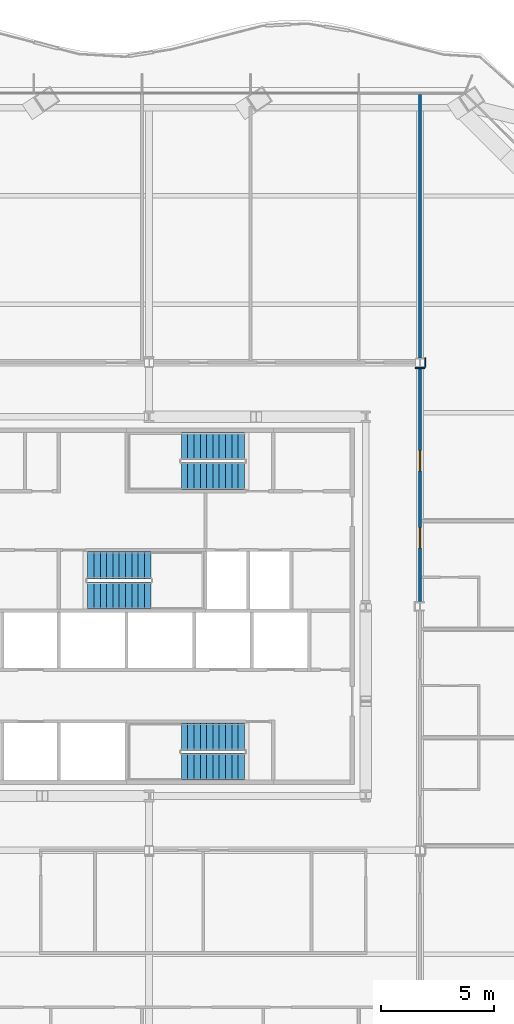
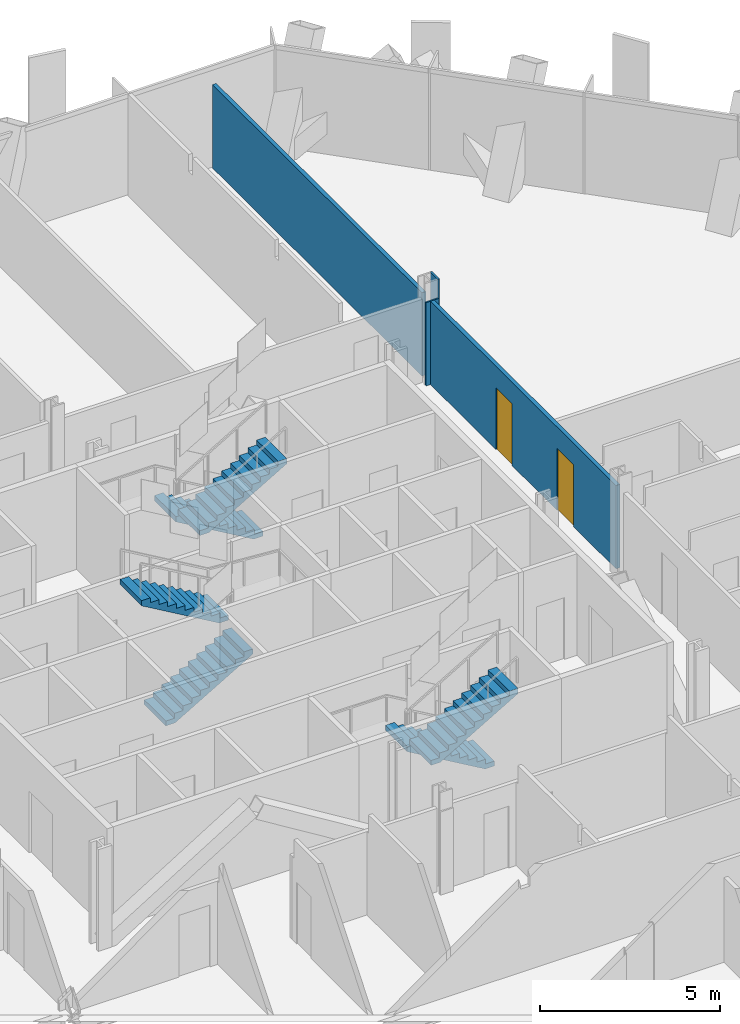
# One storey, part 12 of 19: 6 stair flights, 4 walls, 2 doors, 2 openings, 3 elements without a shape of their own.
"""IFC4 building model written with IfcOpenShell, lengths in metres."""

from ifc_helpers import new_model, si_unit, direction, frame, frame_2d, origin, place, context, subcontext, project, spatial, polyline, rectangle, outline, extrude, material, layer, layer_set, type_object, element, fill, aggregate, save


model = new_model("IFC4")

# Units and contexts
model_context = context("Model", 3, precision=1e-05, world=origin(), true_north=direction((0.0, 1.0)))
body_context = subcontext(model_context, "Body", "Model", "MODEL_VIEW")
ifc_project = project(units=[si_unit("LENGTHUNIT", "METRE"), si_unit("AREAUNIT", "SQUARE_METRE"), si_unit("VOLUMEUNIT", "CUBIC_METRE"), si_unit("PLANEANGLEUNIT", "RADIAN"), si_unit("MASSUNIT", "GRAM", prefix="KILO")], contexts=[model_context])

# Site, building, storey
site_placement = place(None, origin())
site = spatial("IfcSite", under=ifc_project, at=site_placement, CompositionType="ELEMENT")
building_placement = place(site_placement, origin())
building = spatial("IfcBuilding", under=site, at=building_placement, Name="Cairn Pilgrim Tower", CompositionType="ELEMENT")
storey_placement = place(building_placement, frame((0.0, 0.0, 97.800048828125)))
storey = spatial("IfcBuildingStorey", under=building, at=storey_placement, Name="L23", CompositionType="ELEMENT", Elevation=97.800048828125)

# Wall, openings, doors
ifc_material_1 = material(Name="Gypsum partition")
ifc_layer_1 = layer(ifc_material_1, 0.125)
ifc_layer_set_1 = layer_set([ifc_layer_1], Name="PARTITION 125 DRYWALL EI 60")
wall_type_1 = type_object("IfcWallType", Name="PARTITION 125 DRYWALL EI 60", PredefinedType="PARTITIONING", material=ifc_layer_set_1)
wall_1_placement = place(storey_placement, frame((19.199951171875, 2.612548828125, 0.0), z_axis=(0.0, 0.0, 1.0), x_axis=(0.0, 1.0, 0.0)))
wall_1 = element("IfcWall", 1, at=wall_1_placement, inside=storey, type_object=wall_type_1, Name="PARTITION W058", PredefinedType="PARTITIONING", context=body_context, shape_type="SweptSolid", body=[
    extrude(rectangle(XDim=10.375, YDim=0.125, at=frame_2d((5.1875, 0.0))), origin(), (0.0, 0.0, 1.0), 2.829833984375),
])
opening_1_placement = place(wall_1_placement, frame((2.37841796875, 0.0, 0.0)))
opening_1 = element("IfcOpeningElement", 2, at=opening_1_placement, cuts=wall_1, Name="Opening 2326", PredefinedType="OPENING", context=body_context, shape_type="SweptSolid", body=[
    extrude(rectangle(XDim=0.89990234375, YDim=2.10009765625, at=frame_2d((0.449951171875, 1.050048828125))), frame((0.0, 0.072509765625, 0.0), z_axis=(0.0, -1.0, 0.0), x_axis=(1.0, 0.0, 0.0)), (0.0, 0.0, 1.0), 0.14501953125),
])
opening_2_placement = place(wall_1_placement, frame((5.78759765625, 0.0, 0.0)))
opening_2 = element("IfcOpeningElement", 3, at=opening_2_placement, cuts=wall_1, Name="Opening 2327", PredefinedType="OPENING", context=body_context, shape_type="SweptSolid", body=[
    extrude(rectangle(XDim=0.89990234375, YDim=2.10009765625, at=frame_2d((0.449951171875, 1.050048828125))), frame((0.0, 0.072509765625, 0.0), z_axis=(0.0, -1.0, 0.0), x_axis=(1.0, 0.0, 0.0)), (0.0, 0.0, 1.0), 0.14501953125),
])
ifc_material_2 = material(Name="Steel-faced fire door leaf", Category="steel")
door_type = type_object("IfcDoorType", Name="FIRE DOOR 900x2100 FD30S", OperationType="NOTDEFINED", PredefinedType="DOOR", material=ifc_material_2)
door_1_placement = place(opening_1_placement, frame((0.89990234375, 0.0, 0.0), z_axis=(0.0, 0.0, 1.0), x_axis=(-1.0, 0.0, 0.0)))
door_1 = element("IfcDoor", 4, at=door_1_placement, inside=storey, type_object=door_type, Name="DOOR 2326", OperationType="SINGLE_SWING_RIGHT", OverallHeight=2.10009765625, OverallWidth=0.89990234375, PredefinedType="DOOR", context=body_context, shape_type="SweptSolid", body=[
    extrude(rectangle(XDim=0.89990234375, YDim=2.10009765625, at=frame_2d((0.449951171875, 1.050048828125))), frame((0.0, 0.02490234375, 0.0), z_axis=(0.0, -1.0, 0.0), x_axis=(1.0, 0.0, 0.0)), (0.0, 0.0, 1.0), 0.050048828125),
])
fill(opening_1, door_1)
door_2_placement = place(opening_2_placement, frame((0.89990234375, 0.0, 0.0), z_axis=(0.0, 0.0, 1.0), x_axis=(-1.0, 0.0, 0.0)))
door_2 = element("IfcDoor", 5, at=door_2_placement, inside=storey, type_object=door_type, Name="DOOR 2327", OperationType="SINGLE_SWING_RIGHT", OverallHeight=2.10009765625, OverallWidth=0.89990234375, PredefinedType="DOOR", context=body_context, shape_type="SweptSolid", body=[
    extrude(rectangle(XDim=0.89990234375, YDim=2.10009765625, at=frame_2d((0.449951171875, 1.050048828125))), frame((0.0, 0.02490234375, 0.0), z_axis=(0.0, -1.0, 0.0), x_axis=(1.0, 0.0, 0.0)), (0.0, 0.0, 1.0), 0.050048828125),
])
fill(opening_2, door_2)

# Walls
wall_2_placement = place(storey_placement, frame((19.199951171875, 13.41259765625, 0.0), z_axis=(0.0, 0.0, 1.0), x_axis=(0.0, 1.0, 0.0)))
element("IfcWall", 6, at=wall_2_placement, inside=storey, type_object=wall_type_1, Name="PARTITION W076", PredefinedType="PARTITIONING", context=body_context, shape_type="SweptSolid", body=[
    extrude(rectangle(XDim=11.668701171875, YDim=0.125, at=frame_2d((5.83447265625, 0.0))), origin(), (0.0, 0.0, 1.0), 2.829833984375),
])
ifc_layer_2 = layer(ifc_material_1, 0.050048828125)
ifc_layer_set_2 = layer_set([ifc_layer_2], Name="PARTITION 50 DRYWALL EI 60")
wall_type_2 = type_object("IfcWallType", Name="PARTITION 50 DRYWALL EI 60", PredefinedType="PARTITIONING", material=ifc_layer_set_2)
wall_3_placement = place(storey_placement, frame((19.429443359375, 12.987548828125, 0.0), z_axis=(0.0, 0.0, 1.0), x_axis=(0.0, 1.0, 0.0)))
element("IfcWall", 7, at=wall_3_placement, inside=storey, type_object=wall_type_2, Name="COLUMN CASING WC04", PredefinedType="PARTITIONING", context=body_context, shape_type="SweptSolid", body=[
    extrude(rectangle(XDim=0.425048828125, YDim=0.050048828125, at=frame_2d((0.21240234375, 0.0))), origin(), (0.0, 0.0, 1.0), 3.449951171875),
])
wall_4_placement = place(storey_placement, frame((18.99560546875, 12.96240234375, 0.0), z_axis=(0.0, 0.0, 1.0), x_axis=(1.0, 0.0, 0.0)))
element("IfcWall", 8, at=wall_4_placement, inside=storey, type_object=wall_type_2, Name="COLUMN CASING WC18", PredefinedType="PARTITIONING", context=body_context, shape_type="SweptSolid", body=[
    extrude(rectangle(XDim=0.408935546875, YDim=0.050048828125, at=frame_2d((0.20458984375, 0.0))), origin(), (0.0, 0.0, 1.0), 2.829833984375),
])

# Stair, stair flights
ifc_material_3 = material(Name="Concrete C32/40", Category="concrete")
stair_type = type_object("IfcStairType", Name="EXIT STAIR 1200", PredefinedType="HALF_TURN_STAIR", material=ifc_material_3)
stair_1_placement = place(storey_placement, origin())
stair_1 = element("IfcStair", 9, at=stair_1_placement, inside=storey, type_object=stair_type, Name="L23 Exit Stair A", PredefinedType="HALF_TURN_STAIR")
stair_flight_type = type_object("IfcStairFlightType", Name="STAIR FLIGHT 1200", PredefinedType="STRAIGHT", material=ifc_material_3)
stair_flight_1_placement = place(storey_placement, frame((11.425048828125, -3.375, 0.0), z_axis=(0.0, 0.0, 1.0), x_axis=(-1.0, 0.0, 0.0)))
stair_flight_1 = element("IfcStairFlight", 10, at=stair_flight_1_placement, type_object=stair_flight_type, Name="ST-A flight 1", NumberOfRisers=11, NumberOfTreads=10, PredefinedType="STRAIGHT", RiserHeight=0.163636364, TreadLength=0.28, context=body_context, shape_type="SweptSolid", body=[
    extrude(outline(polyline([(0.0, 0.0), (0.0, 0.16357421875), (0.280029296875, 0.16357421875), (0.280029296875, 0.327392578125), (0.56005859375, 0.327392578125), (0.56005859375, 0.490966796875), (0.840087890625, 0.490966796875), (0.840087890625, 0.654541015625), (1.1201171875, 0.654541015625), (1.1201171875, 0.818115234375), (1.39990234375, 0.818115234375), (1.39990234375, 0.98193359375), (1.679931640625, 0.98193359375), (1.679931640625, 1.1455078125), (1.9599609375, 1.1455078125), (1.9599609375, 1.30908203125), (2.239990234375, 1.30908203125), (2.239990234375, 1.47265625), (2.52001953125, 1.47265625), (2.52001953125, 1.636474609375), (2.800048828125, 1.636474609375), (2.800048828125, 1.800048828125), (2.800048828125, 1.462646484375), (0.297119140625, 0.0), (0.0, 0.0)])), frame((0.0, 0.60009765625, 0.0), z_axis=(0.0, -1.0, 0.0), x_axis=(1.0, 0.0, 0.0)), (0.0, 0.0, 1.0), 1.199951171875),
])
stair_flight_2_placement = place(storey_placement, frame((8.625, -4.699951171875, 1.800048828125), z_axis=(0.0, 0.0, 1.0), x_axis=(1.0, 0.0, 0.0)))
stair_flight_2 = element("IfcStairFlight", 11, at=stair_flight_2_placement, type_object=stair_flight_type, Name="ST-A flight 2", NumberOfRisers=11, NumberOfTreads=10, PredefinedType="STRAIGHT", RiserHeight=0.163636364, TreadLength=0.28, context=body_context, shape_type="SweptSolid", body=[
    extrude(outline(polyline([(0.0, 0.0), (0.0, 0.16357421875), (0.280029296875, 0.16357421875), (0.280029296875, 0.327392578125), (0.56005859375, 0.327392578125), (0.56005859375, 0.490966796875), (0.840087890625, 0.490966796875), (0.840087890625, 0.654541015625), (1.1201171875, 0.654541015625), (1.1201171875, 0.818115234375), (1.39990234375, 0.818115234375), (1.39990234375, 0.98193359375), (1.679931640625, 0.98193359375), (1.679931640625, 1.1455078125), (1.9599609375, 1.1455078125), (1.9599609375, 1.30908203125), (2.239990234375, 1.30908203125), (2.239990234375, 1.47265625), (2.52001953125, 1.47265625), (2.52001953125, 1.636474609375), (2.800048828125, 1.636474609375), (2.800048828125, 1.800048828125), (2.800048828125, 1.462646484375), (0.297119140625, 0.0), (0.0, 0.0)])), frame((0.0, 0.60009765625, 0.0), z_axis=(0.0, -1.0, 0.0), x_axis=(1.0, 0.0, 0.0)), (0.0, 0.0, 1.0), 1.199951171875),
])
aggregate(stair_1, [stair_flight_1, stair_flight_2])

stair_2_placement = place(storey_placement, origin())
stair_2 = element("IfcStair", 12, at=stair_2_placement, inside=storey, type_object=stair_type, Name="L23 Exit Stair B", PredefinedType="HALF_TURN_STAIR")
stair_flight_3_placement = place(storey_placement, frame((4.47509765625, 2.875, 0.0), z_axis=(0.0, 0.0, 1.0), x_axis=(1.0, 0.0, 0.0)))
stair_flight_3 = element("IfcStairFlight", 13, at=stair_flight_3_placement, type_object=stair_flight_type, Name="ST-B flight 1", NumberOfRisers=11, NumberOfTreads=10, PredefinedType="STRAIGHT", RiserHeight=0.163636364, TreadLength=0.28, context=body_context, shape_type="SweptSolid", body=[
    extrude(outline(polyline([(0.0, 0.0), (0.0, 0.16357421875), (0.280029296875, 0.16357421875), (0.280029296875, 0.327392578125), (0.56005859375, 0.327392578125), (0.56005859375, 0.490966796875), (0.840087890625, 0.490966796875), (0.840087890625, 0.654541015625), (1.1201171875, 0.654541015625), (1.1201171875, 0.818115234375), (1.39990234375, 0.818115234375), (1.39990234375, 0.98193359375), (1.679931640625, 0.98193359375), (1.679931640625, 1.1455078125), (1.9599609375, 1.1455078125), (1.9599609375, 1.30908203125), (2.239990234375, 1.30908203125), (2.239990234375, 1.47265625), (2.52001953125, 1.47265625), (2.52001953125, 1.636474609375), (2.800048828125, 1.636474609375), (2.800048828125, 1.800048828125), (2.800048828125, 1.462646484375), (0.297119140625, 0.0), (0.0, 0.0)])), frame((0.0, 0.60009765625, 0.0), z_axis=(0.0, -1.0, 0.0), x_axis=(1.0, 0.0, 0.0)), (0.0, 0.0, 1.0), 1.199951171875),
])
stair_flight_4_placement = place(storey_placement, frame((7.27490234375, 4.22509765625, 1.800048828125), z_axis=(0.0, 0.0, 1.0), x_axis=(-1.0, 0.0, 0.0)))
stair_flight_4 = element("IfcStairFlight", 14, at=stair_flight_4_placement, type_object=stair_flight_type, Name="ST-B flight 2", NumberOfRisers=11, NumberOfTreads=10, PredefinedType="STRAIGHT", RiserHeight=0.163636364, TreadLength=0.28, context=body_context, shape_type="SweptSolid", body=[
    extrude(outline(polyline([(0.0, 0.0), (0.0, 0.16357421875), (0.280029296875, 0.16357421875), (0.280029296875, 0.327392578125), (0.56005859375, 0.327392578125), (0.56005859375, 0.490966796875), (0.840087890625, 0.490966796875), (0.840087890625, 0.654541015625), (1.1201171875, 0.654541015625), (1.1201171875, 0.818115234375), (1.39990234375, 0.818115234375), (1.39990234375, 0.98193359375), (1.679931640625, 0.98193359375), (1.679931640625, 1.1455078125), (1.9599609375, 1.1455078125), (1.9599609375, 1.30908203125), (2.239990234375, 1.30908203125), (2.239990234375, 1.47265625), (2.52001953125, 1.47265625), (2.52001953125, 1.636474609375), (2.800048828125, 1.636474609375), (2.800048828125, 1.800048828125), (2.800048828125, 1.462646484375), (0.297119140625, 0.0), (0.0, 0.0)])), frame((0.0, 0.60009765625, 0.0), z_axis=(0.0, -1.0, 0.0), x_axis=(1.0, 0.0, 0.0)), (0.0, 0.0, 1.0), 1.199951171875),
])
aggregate(stair_2, [stair_flight_3, stair_flight_4])

stair_3_placement = place(storey_placement, origin())
stair_3 = element("IfcStair", 15, at=stair_3_placement, inside=storey, type_object=stair_type, Name="L23 Exit Stair C", PredefinedType="HALF_TURN_STAIR")
stair_flight_5_placement = place(storey_placement, frame((11.425048828125, 9.5, 0.0), z_axis=(0.0, 0.0, 1.0), x_axis=(-1.0, 0.0, 0.0)))
stair_flight_5 = element("IfcStairFlight", 16, at=stair_flight_5_placement, type_object=stair_flight_type, Name="ST-C flight 1", NumberOfRisers=11, NumberOfTreads=10, PredefinedType="STRAIGHT", RiserHeight=0.163636364, TreadLength=0.28, context=body_context, shape_type="SweptSolid", body=[
    extrude(outline(polyline([(0.0, 0.0), (0.0, 0.16357421875), (0.280029296875, 0.16357421875), (0.280029296875, 0.327392578125), (0.56005859375, 0.327392578125), (0.56005859375, 0.490966796875), (0.840087890625, 0.490966796875), (0.840087890625, 0.654541015625), (1.1201171875, 0.654541015625), (1.1201171875, 0.818115234375), (1.39990234375, 0.818115234375), (1.39990234375, 0.98193359375), (1.679931640625, 0.98193359375), (1.679931640625, 1.1455078125), (1.9599609375, 1.1455078125), (1.9599609375, 1.30908203125), (2.239990234375, 1.30908203125), (2.239990234375, 1.47265625), (2.52001953125, 1.47265625), (2.52001953125, 1.636474609375), (2.800048828125, 1.636474609375), (2.800048828125, 1.800048828125), (2.800048828125, 1.462646484375), (0.297119140625, 0.0), (0.0, 0.0)])), frame((0.0, 0.60009765625, 0.0), z_axis=(0.0, -1.0, 0.0), x_axis=(1.0, 0.0, 0.0)), (0.0, 0.0, 1.0), 1.199951171875),
])
stair_flight_6_placement = place(storey_placement, frame((8.625, 8.175048828125, 1.800048828125), z_axis=(0.0, 0.0, 1.0), x_axis=(1.0, 0.0, 0.0)))
stair_flight_6 = element("IfcStairFlight", 17, at=stair_flight_6_placement, type_object=stair_flight_type, Name="ST-C flight 2", NumberOfRisers=11, NumberOfTreads=10, PredefinedType="STRAIGHT", RiserHeight=0.163636364, TreadLength=0.28, context=body_context, shape_type="SweptSolid", body=[
    extrude(outline(polyline([(0.0, 0.0), (0.0, 0.16357421875), (0.280029296875, 0.16357421875), (0.280029296875, 0.327392578125), (0.56005859375, 0.327392578125), (0.56005859375, 0.490966796875), (0.840087890625, 0.490966796875), (0.840087890625, 0.654541015625), (1.1201171875, 0.654541015625), (1.1201171875, 0.818115234375), (1.39990234375, 0.818115234375), (1.39990234375, 0.98193359375), (1.679931640625, 0.98193359375), (1.679931640625, 1.1455078125), (1.9599609375, 1.1455078125), (1.9599609375, 1.30908203125), (2.239990234375, 1.30908203125), (2.239990234375, 1.47265625), (2.52001953125, 1.47265625), (2.52001953125, 1.636474609375), (2.800048828125, 1.636474609375), (2.800048828125, 1.800048828125), (2.800048828125, 1.462646484375), (0.297119140625, 0.0), (0.0, 0.0)])), frame((0.0, 0.60009765625, 0.0), z_axis=(0.0, -1.0, 0.0), x_axis=(1.0, 0.0, 0.0)), (0.0, 0.0, 1.0), 1.199951171875),
])
aggregate(stair_3, [stair_flight_5, stair_flight_6])

save(model, "model.ifc")
